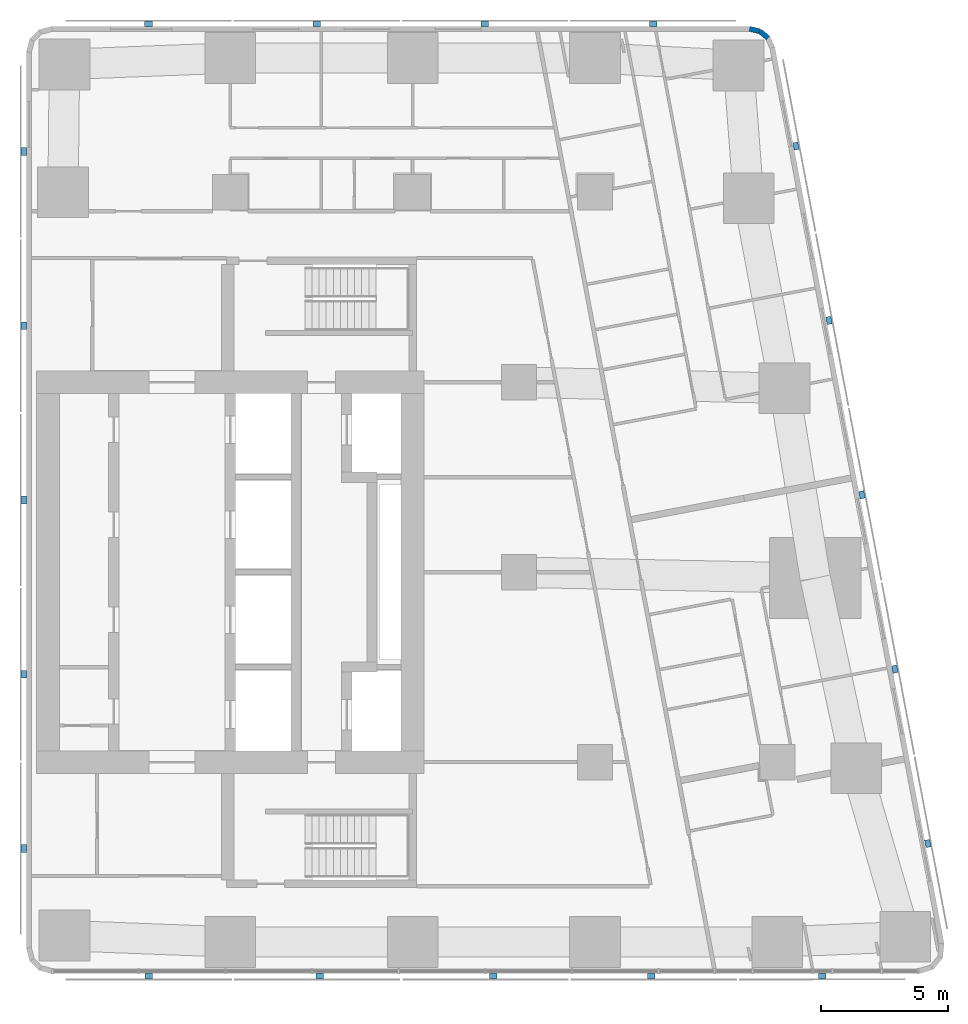
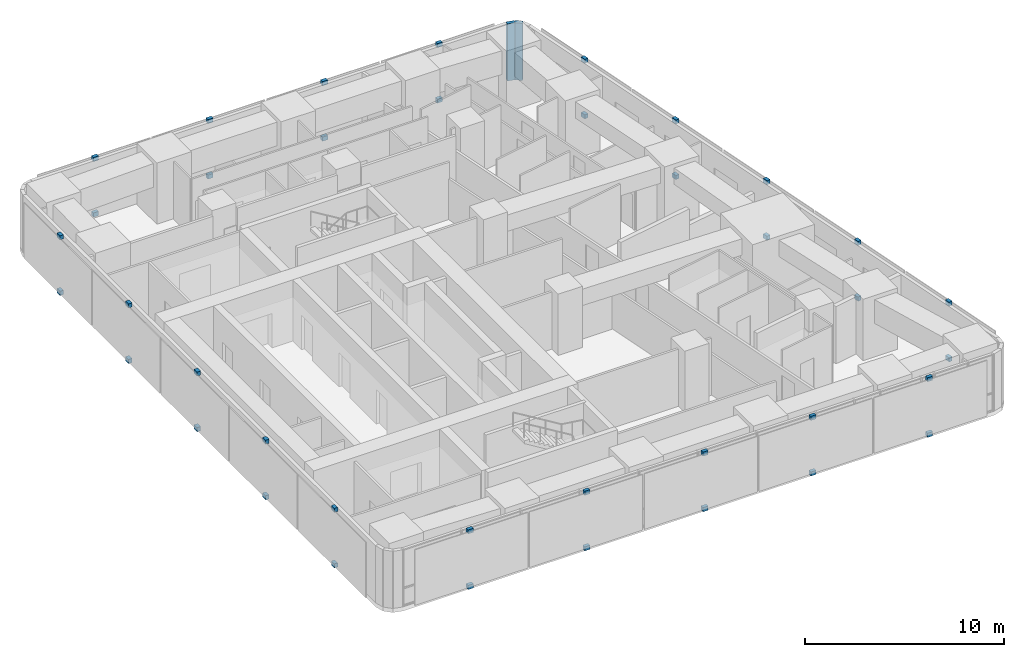
# One storey, part 9 of 11: 38 discrete accessories, 2 walls.
"""IFC4 building model written with IfcOpenShell, lengths in metres."""

from ifc_helpers import new_model, si_unit, direction, frame, frame_2d, origin, origin_2d, place, context, subcontext, project, spatial, rectangle, extrude, material, layer, layer_set, type_object, element, save


model = new_model("IFC4")

# Units and contexts
model_context = context("Model", 3, precision=1e-05, world=origin(), true_north=direction((0.0, 1.0)))
body_context = subcontext(model_context, "Body", "Model", "MODEL_VIEW")
ifc_project = project(units=[si_unit("LENGTHUNIT", "METRE"), si_unit("AREAUNIT", "SQUARE_METRE"), si_unit("VOLUMEUNIT", "CUBIC_METRE"), si_unit("PLANEANGLEUNIT", "RADIAN"), si_unit("MASSUNIT", "GRAM", prefix="KILO")], contexts=[model_context])

# Site, building, storey
site_placement = place(None, origin())
site = spatial("IfcSite", under=ifc_project, at=site_placement, CompositionType="ELEMENT")
building_placement = place(site_placement, origin())
building = spatial("IfcBuilding", under=site, at=building_placement, Name="Sheger Commons Tower", CompositionType="ELEMENT")
storey_placement = place(building_placement, frame((0.0, 0.0, 266.60009765625)))
storey = spatial("IfcBuildingStorey", under=building, at=storey_placement, Name="L68", CompositionType="ELEMENT", Elevation=266.60009765625)

# Walls
ifc_material_1 = material(Name="Rendered concrete block masonry, dark grey", Category="masonry")
ifc_layer = layer(ifc_material_1, 0.199951171875)
ifc_layer_set = layer_set([ifc_layer], Name="FACADE WALL 200")
wall_type = type_object("IfcWallType", Name="FACADE WALL 200", PredefinedType="SOLIDWALL", material=ifc_layer_set)
wall_1_placement = place(storey_placement, frame((42.830078125, 43.592041015625, 0.0), z_axis=(0.0, 0.0, 1.0), x_axis=(-0.771190539797, 0.636604391539, 0.0)))
element("IfcWall", 1, at=wall_1_placement, inside=storey, type_object=wall_type, Name="Facade wall L68", PredefinedType="SOLIDWALL", context=body_context, shape_type="SweptSolid", body=[
    extrude(rectangle(XDim=0.409912109375, YDim=0.199951171875, at=frame_2d((0.205078125, 0.0))), origin(), (0.0, 0.0, 1.0), 3.5),
])
wall_2_placement = place(storey_placement, frame((42.513916015625, 43.85302734375, 0.0), z_axis=(0.0, 0.0, 1.0), x_axis=(-0.973288080424, 0.229587265555, 0.0)))
element("IfcWall", 2, at=wall_2_placement, inside=storey, type_object=wall_type, Name="Facade wall L68", PredefinedType="SOLIDWALL", context=body_context, shape_type="SweptSolid", body=[
    extrude(rectangle(XDim=0.422119140625, YDim=0.199951171875, at=frame_2d((0.2109375, 0.0))), origin(), (0.0, 0.0, 1.0), 3.5),
])

# Discrete accessories
ifc_material_2 = material(Name="Black painted steel bracket", Category="steel")
discrete_accessory_type = type_object("IfcDiscreteAccessoryType", Name="SCREEN BRACKET 300x200x250", PredefinedType="BRACKET", material=ifc_material_2)
for number, where, z_axis, x_axis, name in (
    (3, (18.375, 6.550048828125, -0.10009765625), (0.0, 0.0, 1.0), (1.0, 0.0, 0.0), "Solar screen foot bracket"),
    (4, (18.375, 6.550048828125, 3.2998046875), (0.0, 0.0, 1.0), (1.0, 0.0, 0.0), "Solar screen head bracket"),
    (5, (25.1259765625, 6.550048828125, -0.10009765625), (0.0, 0.0, 1.0), (1.0, 0.0, 0.0), "Solar screen foot bracket"),
    (6, (25.1259765625, 6.550048828125, 3.2998046875), (0.0, 0.0, 1.0), (1.0, 0.0, 0.0), "Solar screen head bracket"),
    (7, (31.97607421875, 6.550048828125, -0.10009765625), (0.0, 0.0, 1.0), (1.0, 0.0, 0.0), "Solar screen foot bracket"),
    (8, (31.97607421875, 6.550048828125, 3.2998046875), (0.0, 0.0, 1.0), (1.0, 0.0, 0.0), "Solar screen head bracket"),
    (9, (38.22607421875, 6.550048828125, -0.10009765625), (0.0, 0.0, 1.0), (1.0, 0.0, 0.0), "Solar screen foot bracket"),
    (10, (38.22607421875, 6.550048828125, 3.2998046875), (0.0, 0.0, 1.0), (1.0, 0.0, 0.0), "Solar screen head bracket"),
    (11, (44.97705078125, 6.550048828125, -0.10009765625), (0.0, 0.0, 1.0), (1.0, 0.0, 0.0), "Solar screen foot bracket"),
    (12, (44.97705078125, 6.550048828125, 3.2998046875), (0.0, 0.0, 1.0), (1.0, 0.0, 0.0), "Solar screen head bracket"),
    (13, (49.139892578125, 11.7880859375, -0.10009765625), (0.0, 0.0, 1.0), (-0.185615165645, 0.982622516678, 0.0), "Solar screen foot bracket"),
    (14, (49.139892578125, 11.7880859375, 3.2998046875), (0.0, 0.0, 1.0), (-0.185615165645, 0.982622516678, 0.0), "Solar screen head bracket"),
    (15, (47.840087890625, 18.6708984375, -0.10009765625), (0.0, 0.0, 1.0), (-0.185615165645, 0.982622516678, 0.0), "Solar screen foot bracket"),
    (16, (47.840087890625, 18.6708984375, 3.2998046875), (0.0, 0.0, 1.0), (-0.185615165645, 0.982622516678, 0.0), "Solar screen head bracket"),
    (17, (46.5400390625, 25.554931640625, -0.10009765625), (0.0, 0.0, 1.0), (-0.185615165645, 0.982622516678, 0.0), "Solar screen foot bracket"),
    (18, (46.5400390625, 25.554931640625, 3.2998046875), (0.0, 0.0, 1.0), (-0.185615165645, 0.982622516678, 0.0), "Solar screen head bracket"),
    (19, (45.239013671875, 32.43798828125, -0.10009765625), (0.0, 0.0, 1.0), (-0.185615165645, 0.982622516678, 0.0), "Solar screen foot bracket"),
    (20, (45.239013671875, 32.43798828125, 3.2998046875), (0.0, 0.0, 1.0), (-0.185615165645, 0.982622516678, 0.0), "Solar screen head bracket"),
    (21, (43.93896484375, 39.322021484375, -0.10009765625), (0.0, 0.0, 1.0), (-0.185615165645, 0.982622516678, 0.0), "Solar screen foot bracket"),
    (22, (43.93896484375, 39.322021484375, 3.2998046875), (0.0, 0.0, 1.0), (-0.185615165645, 0.982622516678, 0.0), "Solar screen head bracket"),
    (23, (38.2939453125, 44.14990234375, -0.10009765625), (0.0, 0.0, 1.0), (-1.0, 0.0, 0.0), "Solar screen foot bracket"),
    (24, (38.2939453125, 44.14990234375, 3.2998046875), (0.0, 0.0, 1.0), (-1.0, 0.0, 0.0), "Solar screen head bracket"),
    (25, (31.653076171875, 44.14990234375, -0.10009765625), (0.0, 0.0, 1.0), (-1.0, 0.0, 0.0), "Solar screen foot bracket"),
    (26, (31.653076171875, 44.14990234375, 3.2998046875), (0.0, 0.0, 1.0), (-1.0, 0.0, 0.0), "Solar screen head bracket"),
    (27, (25.011962890625, 44.14990234375, -0.10009765625), (0.0, 0.0, 1.0), (-1.0, 0.0, 0.0), "Solar screen foot bracket"),
    (28, (25.011962890625, 44.14990234375, 3.2998046875), (0.0, 0.0, 1.0), (-1.0, 0.0, 0.0), "Solar screen head bracket"),
    (29, (18.37109375, 44.14990234375, -0.10009765625), (0.0, 0.0, 1.0), (-1.0, 0.0, 0.0), "Solar screen foot bracket"),
    (30, (18.37109375, 44.14990234375, 3.2998046875), (0.0, 0.0, 1.0), (-1.0, 0.0, 0.0), "Solar screen head bracket"),
    (31, (13.449951171875, 39.110107421875, -0.10009765625), (0.0, 0.0, 1.0), (0.0, -1.0, 0.0), "Solar screen foot bracket"),
    (32, (13.449951171875, 39.110107421875, 3.2998046875), (0.0, 0.0, 1.0), (0.0, -1.0, 0.0), "Solar screen head bracket"),
    (33, (13.449951171875, 32.22998046875, -0.10009765625), (0.0, 0.0, 1.0), (0.0, -1.0, 0.0), "Solar screen foot bracket"),
    (34, (13.449951171875, 32.22998046875, 3.2998046875), (0.0, 0.0, 1.0), (0.0, -1.0, 0.0), "Solar screen head bracket"),
    (35, (13.449951171875, 25.35009765625, -0.10009765625), (0.0, 0.0, 1.0), (0.0, -1.0, 0.0), "Solar screen foot bracket"),
    (36, (13.449951171875, 25.35009765625, 3.2998046875), (0.0, 0.0, 1.0), (0.0, -1.0, 0.0), "Solar screen head bracket"),
    (37, (13.449951171875, 18.469970703125, -0.10009765625), (0.0, 0.0, 1.0), (0.0, -1.0, 0.0), "Solar screen foot bracket"),
    (38, (13.449951171875, 18.469970703125, 3.2998046875), (0.0, 0.0, 1.0), (0.0, -1.0, 0.0), "Solar screen head bracket"),
    (39, (13.449951171875, 11.590087890625, -0.10009765625), (0.0, 0.0, 1.0), (0.0, -1.0, 0.0), "Solar screen foot bracket"),
    (40, (13.449951171875, 11.590087890625, 3.2998046875), (0.0, 0.0, 1.0), (0.0, -1.0, 0.0), "Solar screen head bracket"),
):
    element("IfcDiscreteAccessory", number, at=place(storey_placement, frame(where, z_axis=z_axis, x_axis=x_axis)), inside=storey, type_object=discrete_accessory_type, Name=name, PredefinedType="BRACKET", context=body_context, shape_type="SweptSolid", body=[
        extrude(rectangle(XDim=0.300048828125, YDim=0.199951171875, at=origin_2d()), origin(), (0.0, 0.0, 1.0), 0.25),
    ])

save(model, "model.ifc")
